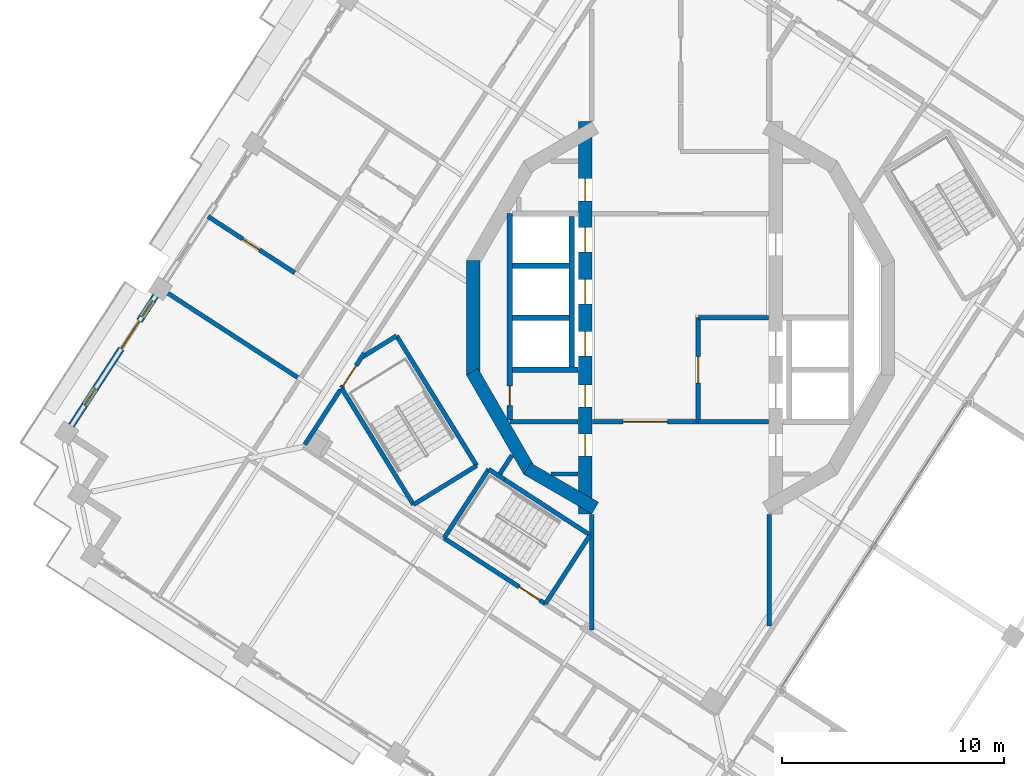
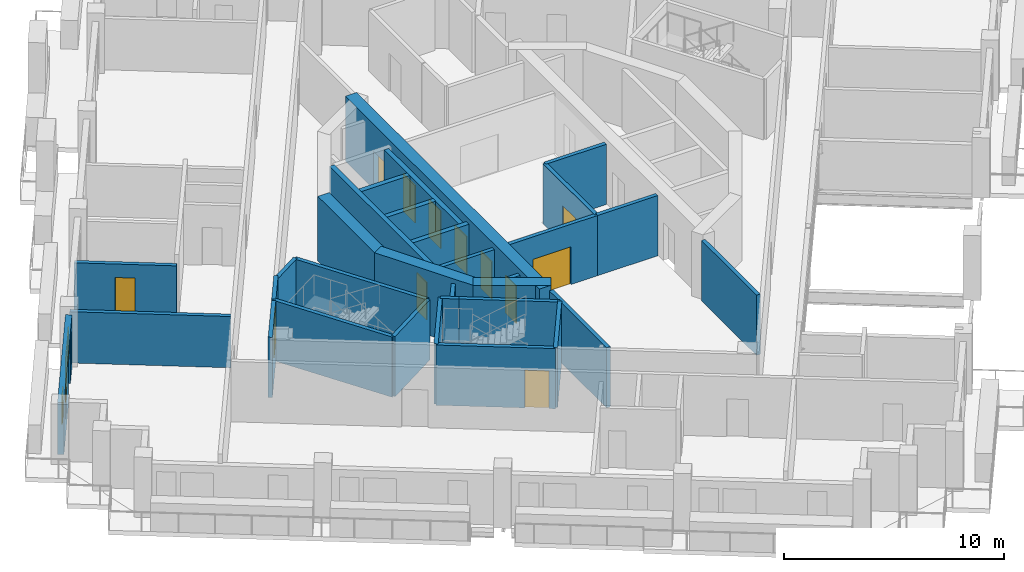
# One storey, part 6 of 17: 32 walls, 13 doors, 2 windows, 15 openings.
"""IFC4 building model written with IfcOpenShell, lengths in metres."""

from ifc_helpers import new_model, si_unit, direction, frame, frame_2d, origin, place, context, subcontext, project, spatial, rectangle, extrude, material, layer, layer_set, type_object, element, fill, save


model = new_model("IFC4")

# Units and contexts
model_context = context("Model", 3, precision=1e-05, world=origin(), true_north=direction((0.0, 1.0)))
body_context = subcontext(model_context, "Body", "Model", "MODEL_VIEW")
ifc_project = project(units=[si_unit("LENGTHUNIT", "METRE"), si_unit("AREAUNIT", "SQUARE_METRE"), si_unit("VOLUMEUNIT", "CUBIC_METRE"), si_unit("PLANEANGLEUNIT", "RADIAN"), si_unit("MASSUNIT", "GRAM", prefix="KILO")], contexts=[model_context])

# Site, building, storey
site_placement = place(None, origin())
site = spatial("IfcSite", under=ifc_project, at=site_placement, CompositionType="ELEMENT")
building_placement = place(site_placement, origin())
building = spatial("IfcBuilding", under=site, at=building_placement, Name="Cantera Rosa Tower", CompositionType="ELEMENT")
storey_placement = place(building_placement, frame((0.0, 0.0, 254.10009765625)))
storey = spatial("IfcBuildingStorey", under=building, at=storey_placement, Name="L56", CompositionType="ELEMENT", Elevation=254.10009765625)

# Walls
ifc_material_1 = material(Name="Gypsum board partition")
ifc_layer_1 = layer(ifc_material_1, 0.199951171875)
ifc_layer_set_1 = layer_set([ifc_layer_1], Name="CORRIDOR WALL 200 H3350")
wall_type_1 = type_object("IfcWallType", Name="CORRIDOR WALL 200 H3350", PredefinedType="PARTITIONING", material=ifc_layer_set_1)
wall_1_placement = place(storey_placement, frame((-15.349853515625, -3.256103515625, 0.0), z_axis=(0.0, 0.0, 1.0), x_axis=(-0.544576607641, -0.838711105453, 0.0)))
element("IfcWall", 1, at=wall_1_placement, inside=storey, type_object=wall_type_1, Name="CORRIDOR WALL L56-008", PredefinedType="PARTITIONING", context=body_context, shape_type="SweptSolid", body=[
    extrude(rectangle(XDim=2.939208984375, YDim=0.199951171875, at=frame_2d((1.4697265625, 0.0))), origin(), (0.0, 0.0, 1.0), 3.349853515625),
])
wall_2_placement = place(storey_placement, frame((-4.0, -14.09423828125, 0.0), z_axis=(0.0, 0.0, 1.0), x_axis=(0.0, 1.0, 0.0)))
element("IfcWall", 2, at=wall_2_placement, inside=storey, type_object=wall_type_1, Name="CORRIDOR WALL L56-039", PredefinedType="PARTITIONING", context=body_context, shape_type="SweptSolid", body=[
    extrude(rectangle(XDim=5.21533203125, YDim=0.199951171875, at=frame_2d((2.607666015625, 0.0))), origin(), (0.0, 0.0, 1.0), 3.349853515625),
])

# Wall, opening, door
wall_3_placement = place(storey_placement, frame((0.800048828125, -4.699951171875, 0.0), z_axis=(0.0, 0.0, 1.0), x_axis=(-1.0, 0.0, 0.0)))
wall_3 = element("IfcWall", 3, at=wall_3_placement, inside=storey, type_object=wall_type_1, Name="CORRIDOR WALL L56-054", PredefinedType="PARTITIONING", context=body_context, shape_type="SweptSolid", body=[
    extrude(rectangle(XDim=4.77001953125, YDim=0.199951171875, at=frame_2d((2.385009765625, 0.0))), origin(), (0.0, 0.0, 1.0), 3.349853515625),
])
opening_1_placement = place(wall_3_placement, frame((1.39990234375, 0.0, 0.0)))
opening_1 = element("IfcOpeningElement", 4, at=opening_1_placement, cuts=wall_3, Name="Opening L56-011", PredefinedType="OPENING", context=body_context, shape_type="SweptSolid", body=[
    extrude(rectangle(XDim=2.0, YDim=2.10009765625, at=frame_2d((1.0, 1.050048828125))), frame((0.0, 0.10986328125, 0.0), z_axis=(0.0, -1.0, 0.0), x_axis=(1.0, 0.0, 0.0)), (0.0, 0.0, 1.0), 0.219970703125),
])
ifc_material_2 = material(Name="Steel S355J2 (EN 10025-2)", Category="steel")
door_type_1 = type_object("IfcDoorType", Name="LOBBY SCREEN DOOR 2000x2100", OperationType="NOTDEFINED", PredefinedType="DOOR", material=ifc_material_2)
door_1_placement = place(opening_1_placement, origin())
door_1 = element("IfcDoor", 5, at=door_1_placement, inside=storey, type_object=door_type_1, Name="DOOR L56-011", OperationType="NOTDEFINED", OverallHeight=2.10009765625, OverallWidth=2.0, PredefinedType="DOOR", context=body_context, shape_type="SweptSolid", body=[
    extrude(rectangle(XDim=2.0, YDim=2.10009765625, at=frame_2d((1.0, 1.050048828125))), frame((0.0, 0.02490234375, 0.0), z_axis=(0.0, -1.0, 0.0), x_axis=(1.0, 0.0, 0.0)), (0.0, 0.0, 1.0), 0.050048828125),
])
fill(opening_1, door_1)

# Wall
wall_4_placement = place(storey_placement, frame((4.0, -13.90087890625, 0.0), z_axis=(0.0, 0.0, 1.0), x_axis=(0.0, 1.0, 0.0)))
element("IfcWall", 6, at=wall_4_placement, inside=storey, type_object=wall_type_1, Name="CORRIDOR WALL L56-067", PredefinedType="PARTITIONING", context=body_context, shape_type="SweptSolid", body=[
    extrude(rectangle(XDim=5.02197265625, YDim=0.199951171875, at=frame_2d((2.510986328125, 0.0))), origin(), (0.0, 0.0, 1.0), 3.349853515625),
])

# Wall, openings, windows, door
ifc_material_3 = material(Name="Hollow clay masonry with cantera stone cladding", Category="masonry")
ifc_layer_2 = layer(ifc_material_3, 0.300048828125)
ifc_layer_set_2 = layer_set([ifc_layer_2], Name="EW-LOGGIA 300 H2890")
wall_type_2 = type_object("IfcWallType", Name="EW-LOGGIA 300 H2890", PredefinedType="SOLIDWALL", material=ifc_layer_set_2)
wall_5_placement = place(storey_placement, frame((-23.6826171875, 0.98779296875, 0.0), z_axis=(0.0, 0.0, 1.0), x_axis=(-0.544667428764, -0.838652128146, 0.0)))
wall_5 = element("IfcWall", 7, at=wall_5_placement, inside=storey, type_object=wall_type_2, Name="EN-L56-W11", PredefinedType="SOLIDWALL", context=body_context, shape_type="SweptSolid", body=[
    extrude(rectangle(XDim=6.97998046875, YDim=0.300048828125, at=frame_2d((3.489990234375, 0.0))), origin(), (0.0, 0.0, 1.0), 2.889892578125),
])
opening_2_placement = place(wall_5_placement, frame((0.2451171875, 0.0, 0.89990234375)))
opening_2 = element("IfcOpeningElement", 8, at=opening_2_placement, cuts=wall_5, Name="Opening L56-W25", PredefinedType="OPENING", context=body_context, shape_type="SweptSolid", body=[
    extrude(rectangle(XDim=0.89990234375, YDim=1.5, at=frame_2d((0.449951171875, 0.75))), frame((0.0, 0.159912109375, 0.0), z_axis=(0.0, -1.0, 0.0), x_axis=(1.0, 0.0, 0.0)), (0.0, 0.0, 1.0), 0.320068359375),
])
opening_3_placement = place(wall_5_placement, frame((1.344970703125, 0.0, 0.0)))
opening_3 = element("IfcOpeningElement", 9, at=opening_3_placement, cuts=wall_5, Name="Opening L56-TD26", PredefinedType="OPENING", context=body_context, shape_type="SweptSolid", body=[
    extrude(rectangle(XDim=1.5, YDim=2.39990234375, at=frame_2d((0.75, 1.199951171875))), frame((0.0, 0.159912109375, 0.0), z_axis=(0.0, -1.0, 0.0), x_axis=(1.0, 0.0, 0.0)), (0.0, 0.0, 1.0), 0.320068359375),
])
opening_4_placement = place(wall_5_placement, frame((4.985107421875, 0.0, 0.89990234375)))
opening_4 = element("IfcOpeningElement", 10, at=opening_4_placement, cuts=wall_5, Name="Opening L56-W27", PredefinedType="OPENING", context=body_context, shape_type="SweptSolid", body=[
    extrude(rectangle(XDim=0.89990234375, YDim=1.5, at=frame_2d((0.449951171875, 0.75))), frame((0.0, 0.159912109375, 0.0), z_axis=(0.0, -1.0, 0.0), x_axis=(1.0, 0.0, 0.0)), (0.0, 0.0, 1.0), 0.320068359375),
])
ifc_material_4 = material(Name="Aluminium frame with clear glass", Category="aluminium")
window_type = type_object("IfcWindowType", Name="Residential window 900x1500", PartitioningType="SINGLE_PANEL", PredefinedType="WINDOW", material=ifc_material_4)
window_1_placement = place(opening_2_placement, origin())
window_1 = element("IfcWindow", 11, at=window_1_placement, inside=storey, type_object=window_type, Name="WINDOW L56-W25", OverallHeight=1.5, OverallWidth=0.89990234375, PartitioningType="SINGLE_PANEL", PredefinedType="WINDOW", context=body_context, shape_type="SweptSolid", body=[
    extrude(rectangle(XDim=0.89990234375, YDim=1.5, at=frame_2d((0.449951171875, 0.75))), frame((0.0, 0.030029296875, 0.0), z_axis=(0.0, -1.0, 0.0), x_axis=(1.0, 0.0, 0.0)), (0.0, 0.0, 1.0), 0.06005859375),
])
fill(opening_2, window_1)
window_2_placement = place(opening_4_placement, origin())
window_2 = element("IfcWindow", 12, at=window_2_placement, inside=storey, type_object=window_type, Name="WINDOW L56-W27", OverallHeight=1.5, OverallWidth=0.89990234375, PartitioningType="SINGLE_PANEL", PredefinedType="WINDOW", context=body_context, shape_type="SweptSolid", body=[
    extrude(rectangle(XDim=0.89990234375, YDim=1.5, at=frame_2d((0.449951171875, 0.75))), frame((0.0, 0.030029296875, 0.0), z_axis=(0.0, -1.0, 0.0), x_axis=(1.0, 0.0, 0.0)), (0.0, 0.0, 1.0), 0.06005859375),
])
fill(opening_4, window_2)
ifc_material_5 = material(Name="Aluminium frame with clear glass", Category="aluminium")
door_type_2 = type_object("IfcDoorType", Name="TD-R 1500x2400", OperationType="NOTDEFINED", PredefinedType="DOOR", material=ifc_material_5)
door_2_placement = place(opening_3_placement, origin())
door_2 = element("IfcDoor", 13, at=door_2_placement, inside=storey, type_object=door_type_2, Name="LOGGIA DOOR L56-TD26", OperationType="SLIDING_TO_LEFT", OverallHeight=2.39990234375, OverallWidth=1.5, PredefinedType="DOOR", context=body_context, shape_type="SweptSolid", body=[
    extrude(rectangle(XDim=1.5, YDim=2.39990234375, at=frame_2d((0.75, 1.199951171875))), frame((0.0, 0.02490234375, 0.0), z_axis=(0.0, -1.0, 0.0), x_axis=(1.0, 0.0, 0.0)), (0.0, 0.0, 1.0), 0.050048828125),
])
fill(opening_3, door_2)

# Wall, opening, door
ifc_material_6 = material(Name="Gypsum board partition")
ifc_layer_3 = layer(ifc_material_6, 0.199951171875)
ifc_layer_set_3 = layer_set([ifc_layer_3], Name="PARTITION 200 H2850")
wall_type_3 = type_object("IfcWallType", Name="PARTITION 200 H2850", PredefinedType="PARTITIONING", material=ifc_layer_set_3)
wall_6_placement = place(storey_placement, frame((-17.404296875, 2.02587890625, 0.0), z_axis=(0.0, 0.0, 1.0), x_axis=(-0.838681218127, 0.544622634822, 0.0)))
wall_6 = element("IfcWall", 14, at=wall_6_placement, inside=storey, type_object=wall_type_3, Name="PARTITION L56-003", PredefinedType="PARTITIONING", context=body_context, shape_type="SweptSolid", body=[
    extrude(rectangle(XDim=4.670166015625, YDim=0.199951171875, at=frame_2d((2.3349609375, 0.0))), origin(), (0.0, 0.0, 1.0), 2.849853515625),
])
opening_5_placement = place(wall_6_placement, frame((1.89990234375, 0.0, 0.0)))
opening_5 = element("IfcOpeningElement", 15, at=opening_5_placement, cuts=wall_6, Name="Opening L56-032", PredefinedType="OPENING", context=body_context, shape_type="SweptSolid", body=[
    extrude(rectangle(XDim=0.89990234375, YDim=2.10009765625, at=frame_2d((0.449951171875, 1.050048828125))), frame((0.0, 0.10986328125, 0.0), z_axis=(0.0, -1.0, 0.0), x_axis=(1.0, 0.0, 0.0)), (0.0, 0.0, 1.0), 0.219970703125),
])
ifc_material_7 = material(Name="Timber door leaf", Category="wood")
door_type_3 = type_object("IfcDoorType", Name="ROOM DOOR 900x2100", OperationType="NOTDEFINED", PredefinedType="DOOR", material=ifc_material_7)
door_3_placement = place(opening_5_placement, origin())
door_3 = element("IfcDoor", 16, at=door_3_placement, inside=storey, type_object=door_type_3, Name="DOOR L56-032", OperationType="NOTDEFINED", OverallHeight=2.10009765625, OverallWidth=0.89990234375, PredefinedType="DOOR", context=body_context, shape_type="SweptSolid", body=[
    extrude(rectangle(XDim=0.89990234375, YDim=2.10009765625, at=frame_2d((0.449951171875, 1.050048828125))), frame((0.0, 0.02490234375, 0.0), z_axis=(0.0, -1.0, 0.0), x_axis=(1.0, 0.0, 0.0)), (0.0, 0.0, 1.0), 0.050048828125),
])
fill(opening_5, door_3)

# Walls
ifc_material_8 = material(Name="Gypsum board partition")
ifc_layer_4 = layer(ifc_material_8, 0.199951171875)
ifc_layer_set_4 = layer_set([ifc_layer_4], Name="PARTITION 200 H3350")
wall_type_4 = type_object("IfcWallType", Name="PARTITION 200 H3350", PredefinedType="PARTITIONING", material=ifc_layer_set_4)
wall_7_placement = place(storey_placement, frame((-7.699951171875, -4.699951171875, 0.0), z_axis=(0.0, 0.0, 1.0), x_axis=(1.0, 0.0, 0.0)))
element("IfcWall", 17, at=wall_7_placement, inside=storey, type_object=wall_type_4, Name="PARTITION L56-022", PredefinedType="PARTITIONING", context=body_context, shape_type="SweptSolid", body=[
    extrude(rectangle(XDim=3.070068359375, YDim=0.199951171875, at=frame_2d((1.53515625, 0.0))), origin(), (0.0, 0.0, 1.0), 3.349853515625),
])
wall_8_placement = place(storey_placement, frame((-7.606201171875, -6.2041015625, 0.0), z_axis=(0.0, 0.0, 1.0), x_axis=(-0.544534187317, -0.838738647519, 0.0)))
element("IfcWall", 18, at=wall_8_placement, inside=storey, type_object=wall_type_4, Name="PARTITION L56-027", PredefinedType="PARTITIONING", context=body_context, shape_type="SweptSolid", body=[
    extrude(rectangle(XDim=1.001708984375, YDim=0.199951171875, at=frame_2d((0.5009765625, 0.0))), origin(), (0.0, 0.0, 1.0), 3.349853515625),
])
wall_9_placement = place(storey_placement, frame((-4.6298828125, -7.050048828125, 0.0), z_axis=(0.0, 0.0, 1.0), x_axis=(-1.0, 0.0, 0.0)))
element("IfcWall", 19, at=wall_9_placement, inside=storey, type_object=wall_type_4, Name="PARTITION L56-036", PredefinedType="PARTITIONING", context=body_context, shape_type="SweptSolid", body=[
    extrude(rectangle(XDim=1.2177734375, YDim=0.199951171875, at=frame_2d((0.60888671875, 0.0))), origin(), (0.0, 0.0, 1.0), 3.349853515625),
])
ifc_material_9 = material(Name="Gypsum board partition")
ifc_layer_5 = layer(ifc_material_9, 0.199951171875)
ifc_layer_set_5 = layer_set([ifc_layer_5], Name="PARTY WALL 200 H2850")
wall_type_5 = type_object("IfcWallType", Name="PARTY WALL 200 H2850", PredefinedType="PARTITIONING", material=ifc_layer_set_5)
wall_10_placement = place(storey_placement, frame((-17.275390625, -2.696044921875, 0.0), z_axis=(0.0, 0.0, 1.0), x_axis=(-0.838684106336, 0.544618187155, 0.0)))
element("IfcWall", 20, at=wall_10_placement, inside=storey, type_object=wall_type_5, Name="PARTY WALL L56-004", PredefinedType="PARTITIONING", context=body_context, shape_type="SweptSolid", body=[
    extrude(rectangle(XDim=7.349853515625, YDim=0.199951171875, at=frame_2d((3.6748046875, 0.0))), origin(), (0.0, 0.0, 1.0), 2.849853515625),
])
ifc_material_10 = material(Name="Concrete C50/60", Category="concrete")
ifc_layer_6 = layer(ifc_material_10, 0.60009765625)
ifc_layer_set_6 = layer_set([ifc_layer_6], Name="RC CORE WALL 600 C50/60")
wall_type_6 = type_object("IfcWallType", Name="RC CORE WALL 600 C50/60", PredefinedType="SHEAR", material=ifc_layer_set_6)
wall_11_placement = place(storey_placement, frame((-3.85009765625, -8.584228515625, 0.0), z_axis=(0.0, 0.0, 1.0), x_axis=(-0.866039982607, 0.499974747889, 0.0)))
element("IfcWall", 21, at=wall_11_placement, inside=storey, type_object=wall_type_6, Name="CW-W1 L56", PredefinedType="SHEAR", context=body_context, shape_type="SweptSolid", body=[
    extrude(rectangle(XDim=3.546142578125, YDim=0.60009765625, at=frame_2d((1.77294921875, 0.0))), origin(), (0.0, 0.0, 1.0), 3.599853515625),
])
for number, where, z_axis, x_axis, name in (
    (22, (-6.811279296875, -6.921142578125, 0.0), (0.0, 0.0, 1.0), (-0.499989188378, 0.866031645787, 0.0), "CW-W2 L56"),
    (23, (-9.359375, -2.588134765625, 0.0), (0.0, 0.0, 1.0), (0.0, 1.0, 0.0), "CW-W3 L56"),
):
    element("IfcWall", number, at=place(storey_placement, frame(where, z_axis=z_axis, x_axis=x_axis)), inside=storey, type_object=wall_type_6, Name=name, PredefinedType="SHEAR", context=body_context, shape_type="SweptSolid", body=[
        extrude(rectangle(XDim=5.17626953125, YDim=0.60009765625, at=frame_2d((2.588134765625, 0.0))), origin(), (0.0, 0.0, 1.0), 3.599853515625),
    ])

# Wall, openings, doors
wall_12_placement = place(storey_placement, frame((-4.300048828125, 8.84423828125, 0.0), z_axis=(0.0, 0.0, 1.0), x_axis=(0.0, -1.0, 0.0)))
wall_12 = element("IfcWall", 24, at=wall_12_placement, inside=storey, type_object=wall_type_6, Name="CW-W6 L56", PredefinedType="SHEAR", context=body_context, shape_type="SweptSolid", body=[
    extrude(rectangle(XDim=17.6884765625, YDim=0.60009765625, at=frame_2d((8.84423828125, 0.0))), origin(), (0.0, 0.0, 1.0), 3.599853515625),
])
opening_6_placement = place(wall_12_placement, frame((9.468994140625, 0.0, 0.0)))
opening_6 = element("IfcOpeningElement", 25, at=opening_6_placement, cuts=wall_12, Name="Opening LD-H1-L56", PredefinedType="OPENING", context=body_context, shape_type="SweptSolid", body=[
    extrude(rectangle(XDim=1.10009765625, YDim=2.10009765625, at=frame_2d((0.550048828125, 1.050048828125))), frame((0.0, 0.31005859375, 0.0), z_axis=(0.0, -1.0, 0.0), x_axis=(1.0, 0.0, 0.0)), (0.0, 0.0, 1.0), 0.6201171875),
])
opening_7_placement = place(wall_12_placement, frame((7.119140625, 0.0, 0.0)))
opening_7 = element("IfcOpeningElement", 26, at=opening_7_placement, cuts=wall_12, Name="Opening LD-H2-L56", PredefinedType="OPENING", context=body_context, shape_type="SweptSolid", body=[
    extrude(rectangle(XDim=1.10009765625, YDim=2.10009765625, at=frame_2d((0.550048828125, 1.050048828125))), frame((0.0, 0.31005859375, 0.0), z_axis=(0.0, -1.0, 0.0), x_axis=(1.0, 0.0, 0.0)), (0.0, 0.0, 1.0), 0.6201171875),
])
opening_8_placement = place(wall_12_placement, frame((4.76904296875, 0.0, 0.0)))
opening_8 = element("IfcOpeningElement", 27, at=opening_8_placement, cuts=wall_12, Name="Opening LD-H3-L56", PredefinedType="OPENING", context=body_context, shape_type="SweptSolid", body=[
    extrude(rectangle(XDim=1.10009765625, YDim=2.10009765625, at=frame_2d((0.550048828125, 1.050048828125))), frame((0.0, 0.31005859375, 0.0), z_axis=(0.0, -1.0, 0.0), x_axis=(1.0, 0.0, 0.0)), (0.0, 0.0, 1.0), 0.6201171875),
])
opening_9_placement = place(wall_12_placement, frame((14.091552734375, 0.0, 0.0)))
opening_9 = element("IfcOpeningElement", 28, at=opening_9_placement, cuts=wall_12, Name="Opening SD-L56-14", PredefinedType="OPENING", context=body_context, shape_type="SweptSolid", body=[
    extrude(rectangle(XDim=1.0, YDim=2.10009765625, at=frame_2d((0.5, 1.050048828125))), frame((0.0, 0.31005859375, 0.0), z_axis=(0.0, -1.0, 0.0), x_axis=(1.0, 0.0, 0.0)), (0.0, 0.0, 1.0), 0.6201171875),
])
opening_10_placement = place(wall_12_placement, frame((2.572265625, 0.0, 0.0)))
opening_10 = element("IfcOpeningElement", 29, at=opening_10_placement, cuts=wall_12, Name="Opening SD-L56-15", PredefinedType="OPENING", context=body_context, shape_type="SweptSolid", body=[
    extrude(rectangle(XDim=1.0, YDim=2.10009765625, at=frame_2d((0.5, 1.050048828125))), frame((0.0, 0.31005859375, 0.0), z_axis=(0.0, -1.0, 0.0), x_axis=(1.0, 0.0, 0.0)), (0.0, 0.0, 1.0), 0.6201171875),
])
opening_11_placement = place(wall_12_placement, frame((11.869140625, 0.0, 0.0)))
opening_11 = element("IfcOpeningElement", 30, at=opening_11_placement, cuts=wall_12, Name="Opening SD-L56-16", PredefinedType="OPENING", context=body_context, shape_type="SweptSolid", body=[
    extrude(rectangle(XDim=1.0, YDim=2.10009765625, at=frame_2d((0.5, 1.050048828125))), frame((0.0, 0.31005859375, 0.0), z_axis=(0.0, -1.0, 0.0), x_axis=(1.0, 0.0, 0.0)), (0.0, 0.0, 1.0), 0.6201171875),
])
ifc_material_11 = material(Name="Steel S355J2 (EN 10025-2)", Category="steel")
door_type_4 = type_object("IfcDoorType", Name="LANDING DOOR 1100x2100", OperationType="NOTDEFINED", PredefinedType="DOOR", material=ifc_material_11)
door_4_placement = place(opening_6_placement, origin())
door_4 = element("IfcDoor", 31, at=door_4_placement, inside=storey, type_object=door_type_4, Name="LANDING DOOR H1 L56", OperationType="SLIDING_TO_LEFT", OverallHeight=2.10009765625, OverallWidth=1.10009765625, PredefinedType="DOOR", context=body_context, shape_type="SweptSolid", body=[
    extrude(rectangle(XDim=1.10009765625, YDim=2.10009765625, at=frame_2d((0.550048828125, 1.050048828125))), frame((0.0, 0.02490234375, 0.0), z_axis=(0.0, -1.0, 0.0), x_axis=(1.0, 0.0, 0.0)), (0.0, 0.0, 1.0), 0.050048828125),
])
fill(opening_6, door_4)
door_5_placement = place(opening_7_placement, origin())
door_5 = element("IfcDoor", 32, at=door_5_placement, inside=storey, type_object=door_type_4, Name="LANDING DOOR H2 L56", OperationType="SLIDING_TO_LEFT", OverallHeight=2.10009765625, OverallWidth=1.10009765625, PredefinedType="DOOR", context=body_context, shape_type="SweptSolid", body=[
    extrude(rectangle(XDim=1.10009765625, YDim=2.10009765625, at=frame_2d((0.550048828125, 1.050048828125))), frame((0.0, 0.02490234375, 0.0), z_axis=(0.0, -1.0, 0.0), x_axis=(1.0, 0.0, 0.0)), (0.0, 0.0, 1.0), 0.050048828125),
])
fill(opening_7, door_5)
door_6_placement = place(opening_8_placement, origin())
door_6 = element("IfcDoor", 33, at=door_6_placement, inside=storey, type_object=door_type_4, Name="LANDING DOOR H3 L56", OperationType="SLIDING_TO_LEFT", OverallHeight=2.10009765625, OverallWidth=1.10009765625, PredefinedType="DOOR", context=body_context, shape_type="SweptSolid", body=[
    extrude(rectangle(XDim=1.10009765625, YDim=2.10009765625, at=frame_2d((0.550048828125, 1.050048828125))), frame((0.0, 0.02490234375, 0.0), z_axis=(0.0, -1.0, 0.0), x_axis=(1.0, 0.0, 0.0)), (0.0, 0.0, 1.0), 0.050048828125),
])
fill(opening_8, door_6)
ifc_material_12 = material(Name="Timber door leaf", Category="wood")
door_type_5 = type_object("IfcDoorType", Name="SERVICE DOOR 1000x2100", OperationType="NOTDEFINED", PredefinedType="DOOR", material=ifc_material_12)
door_7_placement = place(opening_9_placement, origin())
door_7 = element("IfcDoor", 34, at=door_7_placement, inside=storey, type_object=door_type_5, Name="DOOR L56-SD14", OperationType="NOTDEFINED", OverallHeight=2.10009765625, OverallWidth=1.0, PredefinedType="DOOR", context=body_context, shape_type="SweptSolid", body=[
    extrude(rectangle(XDim=1.0, YDim=2.10009765625, at=frame_2d((0.5, 1.050048828125))), frame((0.0, 0.02490234375, 0.0), z_axis=(0.0, -1.0, 0.0), x_axis=(1.0, 0.0, 0.0)), (0.0, 0.0, 1.0), 0.050048828125),
])
fill(opening_9, door_7)
door_8_placement = place(opening_10_placement, origin())
door_8 = element("IfcDoor", 35, at=door_8_placement, inside=storey, type_object=door_type_5, Name="DOOR L56-SD15", OperationType="NOTDEFINED", OverallHeight=2.10009765625, OverallWidth=1.0, PredefinedType="DOOR", context=body_context, shape_type="SweptSolid", body=[
    extrude(rectangle(XDim=1.0, YDim=2.10009765625, at=frame_2d((0.5, 1.050048828125))), frame((0.0, 0.02490234375, 0.0), z_axis=(0.0, -1.0, 0.0), x_axis=(1.0, 0.0, 0.0)), (0.0, 0.0, 1.0), 0.050048828125),
])
fill(opening_10, door_8)
door_9_placement = place(opening_11_placement, origin())
door_9 = element("IfcDoor", 36, at=door_9_placement, inside=storey, type_object=door_type_5, Name="DOOR L56-SD16", OperationType="NOTDEFINED", OverallHeight=2.10009765625, OverallWidth=1.0, PredefinedType="DOOR", context=body_context, shape_type="SweptSolid", body=[
    extrude(rectangle(XDim=1.0, YDim=2.10009765625, at=frame_2d((0.5, 1.050048828125))), frame((0.0, 0.02490234375, 0.0), z_axis=(0.0, -1.0, 0.0), x_axis=(1.0, 0.0, 0.0)), (0.0, 0.0, 1.0), 0.050048828125),
])
fill(opening_11, door_9)

# Walls
ifc_material_13 = material(Name="Masonry blockwork", Category="masonry")
ifc_layer_7 = layer(ifc_material_13, 0.25)
ifc_layer_set_7 = layer_set([ifc_layer_7], Name="SHAFT WALL 250 H3350")
wall_type_7 = type_object("IfcWallType", Name="SHAFT WALL 250 H3350", PredefinedType="SOLIDWALL", material=ifc_layer_set_7)
for number, where, z_axis, x_axis, name in (
    (37, (-7.574951171875, 0.0, 0.0), (0.0, 0.0, 1.0), (1.0, 0.0, 0.0), "SHAFT WALL L56-023"),
    (38, (-7.574951171875, 2.35009765625, 0.0), (0.0, 0.0, 1.0), (1.0, 0.0, 0.0), "SHAFT WALL L56-024"),
):
    element("IfcWall", number, at=place(storey_placement, frame(where, z_axis=z_axis, x_axis=x_axis)), inside=storey, type_object=wall_type_7, Name=name, PredefinedType="SOLIDWALL", context=body_context, shape_type="SweptSolid", body=[
        extrude(rectangle(XDim=2.554931640625, YDim=0.25, at=frame_2d((1.27734375, 0.0))), origin(), (0.0, 0.0, 1.0), 3.349853515625),
    ])

# Wall, opening, door
wall_13_placement = place(storey_placement, frame((-7.699951171875, 4.699951171875, 0.0), z_axis=(0.0, 0.0, 1.0), x_axis=(0.0, -1.0, 0.0)))
wall_13 = element("IfcWall", 39, at=wall_13_placement, inside=storey, type_object=wall_type_7, Name="SHAFT WALL L56-025", PredefinedType="SOLIDWALL", context=body_context, shape_type="SweptSolid", body=[
    extrude(rectangle(XDim=9.320068359375, YDim=0.25, at=frame_2d((4.66015625, 0.0))), origin(), (0.0, 0.0, 1.0), 3.349853515625),
])
opening_12_placement = place(wall_13_placement, frame((7.7705078125, 0.0, 0.0)))
opening_12 = element("IfcOpeningElement", 40, at=opening_12_placement, cuts=wall_13, Name="Opening L56-048", PredefinedType="OPENING", context=body_context, shape_type="SweptSolid", body=[
    extrude(rectangle(XDim=0.89990234375, YDim=2.10009765625, at=frame_2d((0.449951171875, 1.050048828125))), frame((0.0, 0.135009765625, 0.0), z_axis=(0.0, -1.0, 0.0), x_axis=(1.0, 0.0, 0.0)), (0.0, 0.0, 1.0), 0.27001953125),
])
ifc_material_14 = material(Name="Timber door leaf", Category="wood")
door_type_6 = type_object("IfcDoorType", Name="SERVICE DOOR 900x2100", OperationType="NOTDEFINED", PredefinedType="DOOR", material=ifc_material_14)
door_10_placement = place(opening_12_placement, origin())
door_10 = element("IfcDoor", 41, at=door_10_placement, inside=storey, type_object=door_type_6, Name="RISER DOOR L56-048", OperationType="NOTDEFINED", OverallHeight=2.10009765625, OverallWidth=0.89990234375, PredefinedType="DOOR", context=body_context, shape_type="SweptSolid", body=[
    extrude(rectangle(XDim=0.89990234375, YDim=2.10009765625, at=frame_2d((0.449951171875, 1.050048828125))), frame((0.0, 0.02490234375, 0.0), z_axis=(0.0, -1.0, 0.0), x_axis=(1.0, 0.0, 0.0)), (0.0, 0.0, 1.0), 0.050048828125),
])
fill(opening_12, door_10)

# Walls
wall_14_placement = place(storey_placement, frame((-4.89990234375, -2.22509765625, 0.0), z_axis=(0.0, 0.0, 1.0), x_axis=(0.0, 1.0, 0.0)))
element("IfcWall", 42, at=wall_14_placement, inside=storey, type_object=wall_type_7, Name="SHAFT WALL L56-035", PredefinedType="SOLIDWALL", context=body_context, shape_type="SweptSolid", body=[
    extrude(rectangle(XDim=6.800048828125, YDim=0.25, at=frame_2d((3.39990234375, 0.0))), origin(), (0.0, 0.0, 1.0), 3.349853515625),
])
wall_15_placement = place(storey_placement, frame((-4.6298828125, -2.35009765625, 0.0), z_axis=(0.0, 0.0, 1.0), x_axis=(-1.0, 0.0, 0.0)))
element("IfcWall", 43, at=wall_15_placement, inside=storey, type_object=wall_type_7, Name="SHAFT WALL L56-037", PredefinedType="SOLIDWALL", context=body_context, shape_type="SweptSolid", body=[
    extrude(rectangle(XDim=2.945068359375, YDim=0.25, at=frame_2d((1.47265625, 0.0))), origin(), (0.0, 0.0, 1.0), 3.349853515625),
])
ifc_material_15 = material(Name="Concrete C50/60", Category="concrete")
ifc_layer_8 = layer(ifc_material_15, 0.199951171875)
ifc_layer_set_8 = layer_set([ifc_layer_8], Name="STAIR WALL 200 H3350")
wall_type_8 = type_object("IfcWallType", Name="STAIR WALL 200 H3350", PredefinedType="SOLIDWALL", material=ifc_layer_set_8)
wall_16_placement = place(storey_placement, frame((-15.29541015625, -3.17236328125, 0.0), z_axis=(0.0, 0.0, 1.0), x_axis=(0.524983142341, -0.851112624896, 0.0)))
element("IfcWall", 44, at=wall_16_placement, inside=storey, type_object=wall_type_8, Name="STAIR WALL L56-009", PredefinedType="SOLIDWALL", context=body_context, shape_type="SweptSolid", body=[
    extrude(rectangle(XDim=6.180419921875, YDim=0.199951171875, at=frame_2d((3.09033203125, 0.0))), origin(), (0.0, 0.0, 1.0), 3.349853515625),
])

# Wall, opening, door
wall_17_placement = place(storey_placement, frame((-14.268310546875, -1.5908203125, 0.0), z_axis=(0.0, 0.0, 1.0), x_axis=(-0.544651565877, -0.838662430176, 0.0)))
wall_17 = element("IfcWall", 45, at=wall_17_placement, inside=storey, type_object=wall_type_8, Name="STAIR WALL L56-011", PredefinedType="SOLIDWALL", context=body_context, shape_type="SweptSolid", body=[
    extrude(rectangle(XDim=1.8857421875, YDim=0.199951171875, at=frame_2d((0.94287109375, 0.0))), origin(), (0.0, 0.0, 1.0), 3.349853515625),
])
opening_13_placement = place(wall_17_placement, frame((0.6689453125, 0.0, 0.0)))
opening_13 = element("IfcOpeningElement", 46, at=opening_13_placement, cuts=wall_17, Name="Opening L56-002", PredefinedType="OPENING", context=body_context, shape_type="SweptSolid", body=[
    extrude(rectangle(XDim=1.10009765625, YDim=2.10009765625, at=frame_2d((0.550048828125, 1.050048828125))), frame((0.0, 0.10986328125, 0.0), z_axis=(0.0, -1.0, 0.0), x_axis=(1.0, 0.0, 0.0)), (0.0, 0.0, 1.0), 0.219970703125),
])
ifc_material_16 = material(Name="Steel S355J2 (EN 10025-2)", Category="steel")
door_type_7 = type_object("IfcDoorType", Name="STAIR DOOR 1100x2100", OperationType="NOTDEFINED", PredefinedType="DOOR", material=ifc_material_16)
door_11_placement = place(opening_13_placement, origin())
door_11 = element("IfcDoor", 47, at=door_11_placement, inside=storey, type_object=door_type_7, Name="DOOR L56-002", OperationType="NOTDEFINED", OverallHeight=2.10009765625, OverallWidth=1.10009765625, PredefinedType="DOOR", context=body_context, shape_type="SweptSolid", body=[
    extrude(rectangle(XDim=1.10009765625, YDim=2.10009765625, at=frame_2d((0.550048828125, 1.050048828125))), frame((0.0, 0.02490234375, 0.0), z_axis=(0.0, -1.0, 0.0), x_axis=(1.0, 0.0, 0.0)), (0.0, 0.0, 1.0), 0.050048828125),
])
fill(opening_13, door_11)

# Walls
wall_18_placement = place(storey_placement, frame((-12.811279296875, -0.818359375, 0.0), z_axis=(0.0, 0.0, 1.0), x_axis=(-0.851125244186, -0.524962683158, 0.0)))
element("IfcWall", 48, at=wall_18_placement, inside=storey, type_object=wall_type_8, Name="STAIR WALL L56-013", PredefinedType="SOLIDWALL", context=body_context, shape_type="SweptSolid", body=[
    extrude(rectangle(XDim=1.872802734375, YDim=0.199951171875, at=frame_2d((0.9365234375, 0.0))), origin(), (0.0, 0.0, 1.0), 3.349853515625),
])
wall_19_placement = place(storey_placement, frame((-12.05078125, -8.4326171875, 0.0), z_axis=(0.0, 0.0, 1.0), x_axis=(0.85113993661, 0.524938861495, 0.0)))
element("IfcWall", 49, at=wall_19_placement, inside=storey, type_object=wall_type_8, Name="STAIR WALL L56-015", PredefinedType="SOLIDWALL", context=body_context, shape_type="SweptSolid", body=[
    extrude(rectangle(XDim=3.35009765625, YDim=0.199951171875, at=frame_2d((1.675048828125, 0.0))), origin(), (0.0, 0.0, 1.0), 3.349853515625),
])

# Wall, opening, door
wall_20_placement = place(storey_placement, frame((-10.67138671875, -9.94189453125, 0.0), z_axis=(0.0, 0.0, 1.0), x_axis=(0.838674843592, -0.544632451041, 0.0)))
wall_20 = element("IfcWall", 50, at=wall_20_placement, inside=storey, type_object=wall_type_8, Name="STAIR WALL L56-019", PredefinedType="SOLIDWALL", context=body_context, shape_type="SweptSolid", body=[
    extrude(rectangle(XDim=5.449951171875, YDim=0.199951171875, at=frame_2d((2.72509765625, 0.0))), origin(), (0.0, 0.0, 1.0), 3.349853515625),
])
opening_14_placement = place(wall_20_placement, frame((4.050048828125, 0.0, 0.0)))
opening_14 = element("IfcOpeningElement", 51, at=opening_14_placement, cuts=wall_20, Name="Opening L56-003", PredefinedType="OPENING", context=body_context, shape_type="SweptSolid", body=[
    extrude(rectangle(XDim=1.10009765625, YDim=2.10009765625, at=frame_2d((0.550048828125, 1.050048828125))), frame((0.0, 0.10986328125, 0.0), z_axis=(0.0, -1.0, 0.0), x_axis=(1.0, 0.0, 0.0)), (0.0, 0.0, 1.0), 0.219970703125),
])
door_12_placement = place(opening_14_placement, origin())
door_12 = element("IfcDoor", 52, at=door_12_placement, inside=storey, type_object=door_type_7, Name="DOOR L56-003", OperationType="NOTDEFINED", OverallHeight=2.10009765625, OverallWidth=1.10009765625, PredefinedType="DOOR", context=body_context, shape_type="SweptSolid", body=[
    extrude(rectangle(XDim=1.10009765625, YDim=2.10009765625, at=frame_2d((0.550048828125, 1.050048828125))), frame((0.0, 0.02490234375, 0.0), z_axis=(0.0, -1.0, 0.0), x_axis=(1.0, 0.0, 0.0)), (0.0, 0.0, 1.0), 0.050048828125),
])
fill(opening_14, door_12)

# Walls
wall_21_placement = place(storey_placement, frame((-9.199462890625, -6.674072265625, 0.0), z_axis=(0.0, 0.0, 1.0), x_axis=(-0.524972254536, 0.851119340614, 0.0)))
element("IfcWall", 53, at=wall_21_placement, inside=storey, type_object=wall_type_8, Name="STAIR WALL L56-020", PredefinedType="SOLIDWALL", context=body_context, shape_type="SweptSolid", body=[
    extrude(rectangle(XDim=6.880126953125, YDim=0.199951171875, at=frame_2d((3.43994140625, 0.0))), origin(), (0.0, 0.0, 1.0), 3.349853515625),
])
for number, where, z_axis, x_axis, name in (
    (54, (-8.65478515625, -6.8369140625, 0.0), (0.0, 0.0, 1.0), (-0.544677727046, -0.838645439778, 0.0), "STAIR WALL L56-021"),
    (55, (-6.1005859375, -12.91015625, 0.0), (0.0, 0.0, 1.0), (0.544677727046, 0.838645439778, 0.0), "STAIR WALL L56-030"),
):
    element("IfcWall", number, at=place(storey_placement, frame(where, z_axis=z_axis, x_axis=x_axis)), inside=storey, type_object=wall_type_8, Name=name, PredefinedType="SOLIDWALL", context=body_context, shape_type="SweptSolid", body=[
        extrude(rectangle(XDim=3.702392578125, YDim=0.199951171875, at=frame_2d((1.85107421875, 0.0))), origin(), (0.0, 0.0, 1.0), 3.349853515625),
    ])
wall_22_placement = place(storey_placement, frame((-4.083984375, -9.80517578125, 0.0), z_axis=(0.0, 0.0, 1.0), x_axis=(-0.838669083999, 0.544641320086, 0.0)))
element("IfcWall", 56, at=wall_22_placement, inside=storey, type_object=wall_type_8, Name="STAIR WALL L56-038", PredefinedType="SOLIDWALL", context=body_context, shape_type="SweptSolid", body=[
    extrude(rectangle(XDim=4.60009765625, YDim=0.199951171875, at=frame_2d((2.300048828125, 0.0))), origin(), (0.0, 0.0, 1.0), 3.349853515625),
])

# Wall, opening, door
wall_23_placement = place(storey_placement, frame((0.800048828125, -4.699951171875, 0.0), z_axis=(0.0, 0.0, 1.0), x_axis=(0.0, 1.0, 0.0)))
wall_23 = element("IfcWall", 57, at=wall_23_placement, inside=storey, type_object=wall_type_8, Name="STAIR WALL L56-055", PredefinedType="SOLIDWALL", context=body_context, shape_type="SweptSolid", body=[
    extrude(rectangle(XDim=4.699951171875, YDim=0.199951171875, at=frame_2d((2.35009765625, 0.0))), origin(), (0.0, 0.0, 1.0), 3.349853515625),
])
opening_15_placement = place(wall_23_placement, frame((1.75, 0.0, 0.0)))
opening_15 = element("IfcOpeningElement", 58, at=opening_15_placement, cuts=wall_23, Name="Opening L56-012", PredefinedType="OPENING", context=body_context, shape_type="SweptSolid", body=[
    extrude(rectangle(XDim=1.199951171875, YDim=2.10009765625, at=frame_2d((0.60009765625, 1.050048828125))), frame((0.0, 0.10986328125, 0.0), z_axis=(0.0, -1.0, 0.0), x_axis=(1.0, 0.0, 0.0)), (0.0, 0.0, 1.0), 0.219970703125),
])
ifc_material_17 = material(Name="Steel S355J2 (EN 10025-2)", Category="steel")
door_type_8 = type_object("IfcDoorType", Name="FIRE DOOR 1200x2100", OperationType="NOTDEFINED", PredefinedType="DOOR", material=ifc_material_17)
door_13_placement = place(opening_15_placement, origin())
door_13 = element("IfcDoor", 59, at=door_13_placement, inside=storey, type_object=door_type_8, Name="DOOR L56-012", OperationType="NOTDEFINED", OverallHeight=2.10009765625, OverallWidth=1.199951171875, PredefinedType="DOOR", context=body_context, shape_type="SweptSolid", body=[
    extrude(rectangle(XDim=1.199951171875, YDim=2.10009765625, at=frame_2d((0.60009765625, 1.050048828125))), frame((0.0, 0.02490234375, 0.0), z_axis=(0.0, -1.0, 0.0), x_axis=(1.0, 0.0, 0.0)), (0.0, 0.0, 1.0), 0.050048828125),
])
fill(opening_15, door_13)

# Walls
for number, where, z_axis, x_axis, name in (
    (60, (0.800048828125, 0.0, 0.0), (0.0, 0.0, 1.0), (1.0, 0.0, 0.0), "STAIR WALL L56-056"),
    (61, (3.969970703125, -4.699951171875, 0.0), (0.0, 0.0, 1.0), (-1.0, 0.0, 0.0), "STAIR WALL L56-066"),
):
    element("IfcWall", number, at=place(storey_placement, frame(where, z_axis=z_axis, x_axis=x_axis)), inside=storey, type_object=wall_type_8, Name=name, PredefinedType="SOLIDWALL", context=body_context, shape_type="SweptSolid", body=[
        extrude(rectangle(XDim=3.169921875, YDim=0.199951171875, at=frame_2d((1.5849609375, 0.0))), origin(), (0.0, 0.0, 1.0), 3.349853515625),
    ])
wall_24_placement = place(storey_placement, frame((-7.94189453125, -7.2998046875, 0.0), z_axis=(0.0, 0.0, 1.0), x_axis=(-0.838706012202, 0.544584451758, 0.0)))
element("IfcWall", 62, at=wall_24_placement, inside=storey, type_object=wall_type_8, Name="STAIR WALL L56-038 J", PredefinedType="SOLIDWALL", context=body_context, shape_type="SweptSolid", body=[
    extrude(rectangle(XDim=0.85009765625, YDim=0.199951171875, at=frame_2d((0.425048828125, 0.0))), origin(), (0.0, 0.0, 1.0), 3.349853515625),
])

save(model, "model.ifc")
